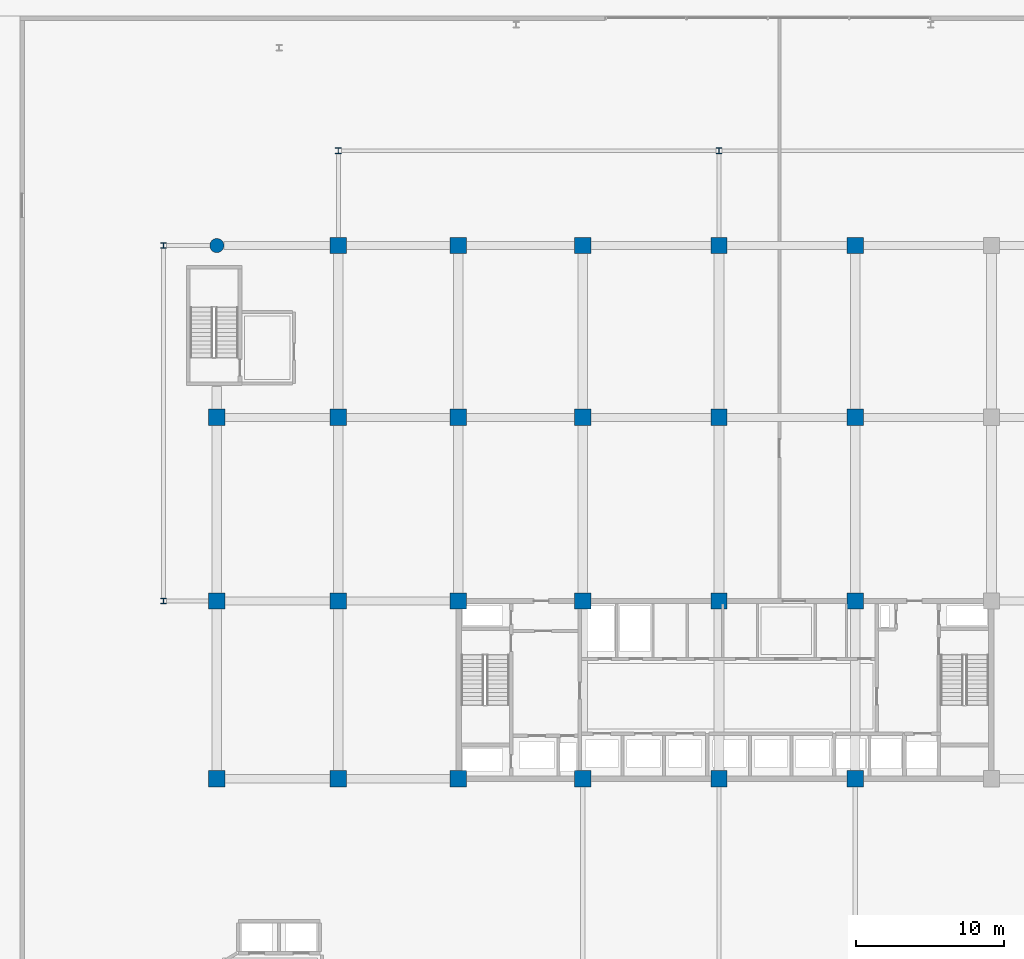
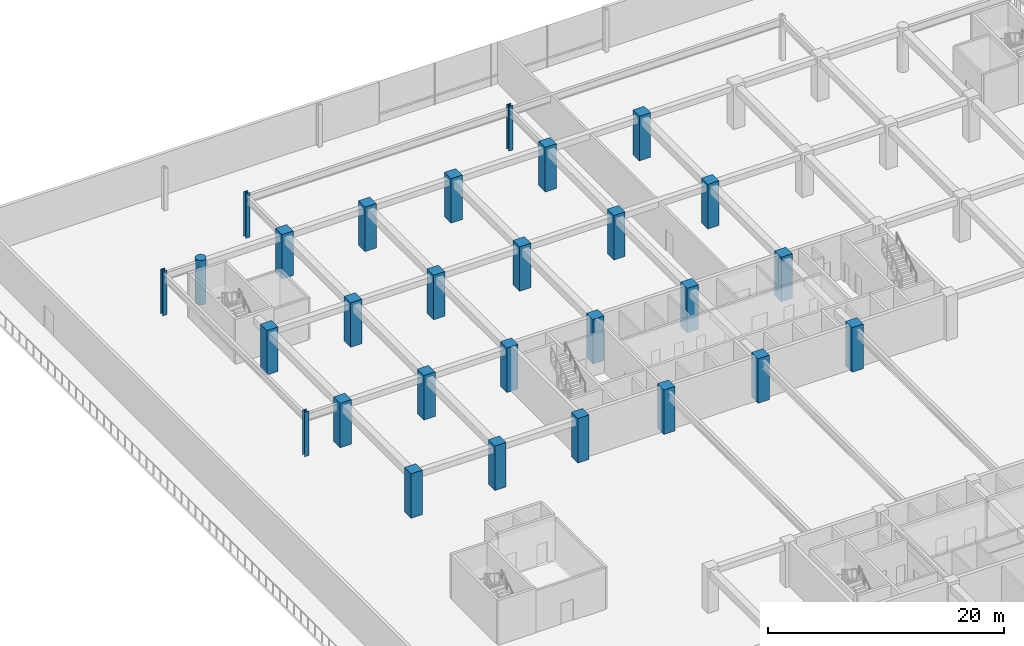
# One storey, part 3 of 45: 28 columns.
"""IFC4 building model written with IfcOpenShell, lengths in metres."""

from ifc_helpers import new_model, si_unit, direction, frame, origin, origin_2d, place, context, subcontext, project, spatial, rectangle, circle, i_section, extrude, material, material_profile, profile_set, type_object, element, save


model = new_model("IFC4")

# Units and contexts
model_context = context("Model", 3, precision=1e-05, world=origin(), true_north=direction((0.0, 1.0)))
body_context = subcontext(model_context, "Body", "Model", "MODEL_VIEW")
ifc_project = project(units=[si_unit("LENGTHUNIT", "METRE"), si_unit("AREAUNIT", "SQUARE_METRE"), si_unit("VOLUMEUNIT", "CUBIC_METRE"), si_unit("PLANEANGLEUNIT", "RADIAN"), si_unit("MASSUNIT", "GRAM", prefix="KILO")], contexts=[model_context])

# Site, building, storey
site_placement = place(None, origin())
site = spatial("IfcSite", under=ifc_project, at=site_placement, CompositionType="ELEMENT")
building_placement = place(site_placement, origin())
building = spatial("IfcBuilding", under=site, at=building_placement, Name="Korimba Cascade Residences", CompositionType="ELEMENT")
storey_placement = place(building_placement, frame((0.0, 0.0, 5.39990234375)))
storey = spatial("IfcBuildingStorey", under=building, at=storey_placement, Name="L01", CompositionType="ELEMENT", Elevation=5.39990234375)

# Columns
ifc_material_1 = material(Name="Concrete C80/95", Category="concrete")
ifc_material_profile_1 = material_profile(ifc_material_1, rectangle(XDim=1.10009765625, YDim=1.10009765625, at=origin_2d()), Name="Concrete C80/95")
ifc_profile_set_1 = profile_set([ifc_material_profile_1], Name="Concrete C80/95")
column_type_1 = type_object("IfcColumnType", Name="COL-RC-1100", PredefinedType="COLUMN", material=ifc_profile_set_1)
for number, where, z_axis, x_axis, name in (
    (1, (59.800048828125, 55.199951171875, 0.0), (0.0, 0.0, 1.0), (1.0, 0.0, 0.0), "L01 Tower 1 Column 1.1"),
    (2, (59.800048828125, 67.199951171875, 0.0), (0.0, 0.0, 1.0), (1.0, 0.0, 0.0), "L01 Tower 1 Column 1.2"),
    (3, (59.800048828125, 79.60009765625, 0.0), (0.0, 0.0, 1.0), (1.0, 0.0, 0.0), "L01 Tower 1 Column 1.3"),
    (4, (68.0, 55.199951171875, 0.0), (0.0, 0.0, 1.0), (1.0, 0.0, 0.0), "L01 Tower 1 Column 2.1"),
    (5, (68.0, 67.199951171875, 0.0), (0.0, 0.0, 1.0), (1.0, 0.0, 0.0), "L01 Tower 1 Column 2.2"),
    (6, (68.0, 79.60009765625, 0.0), (0.0, 0.0, 1.0), (1.0, 0.0, 0.0), "L01 Tower 1 Column 2.3"),
    (7, (68.0, 91.199951171875, 0.0), (0.0, 0.0, 1.0), (1.0, 0.0, 0.0), "L01 Tower 1 Column 2.4"),
    (8, (76.10009765625, 55.199951171875, 0.0), (0.0, 0.0, 1.0), (1.0, 0.0, 0.0), "L01 Tower 1 Column 3.1"),
    (9, (76.10009765625, 67.199951171875, 0.0), (0.0, 0.0, 1.0), (1.0, 0.0, 0.0), "L01 Tower 1 Column 3.2"),
    (10, (76.10009765625, 79.60009765625, 0.0), (0.0, 0.0, 1.0), (1.0, 0.0, 0.0), "L01 Tower 1 Column 3.3"),
    (11, (76.10009765625, 91.199951171875, 0.0), (0.0, 0.0, 1.0), (1.0, 0.0, 0.0), "L01 Tower 1 Column 3.4"),
    (12, (84.5, 55.199951171875, 0.0), (0.0, 0.0, 1.0), (1.0, 0.0, 0.0), "L01 Tower 1 Column 4.1"),
    (13, (84.5, 67.199951171875, 0.0), (0.0, 0.0, 1.0), (1.0, 0.0, 0.0), "L01 Tower 1 Column 4.2"),
    (14, (84.5, 79.60009765625, 0.0), (0.0, 0.0, 1.0), (1.0, 0.0, 0.0), "L01 Tower 1 Column 4.3"),
    (15, (84.5, 91.199951171875, 0.0), (0.0, 0.0, 1.0), (1.0, 0.0, 0.0), "L01 Tower 1 Column 4.4"),
    (16, (93.699951171875, 55.199951171875, 0.0), (0.0, 0.0, 1.0), (1.0, 0.0, 0.0), "L01 Tower 1 Column 5.1"),
    (17, (93.699951171875, 67.199951171875, 0.0), (0.0, 0.0, 1.0), (1.0, 0.0, 0.0), "L01 Tower 1 Column 5.2"),
    (18, (93.699951171875, 79.60009765625, 0.0), (0.0, 0.0, 1.0), (1.0, 0.0, 0.0), "L01 Tower 1 Column 5.3"),
    (19, (93.699951171875, 91.199951171875, 0.0), (0.0, 0.0, 1.0), (1.0, 0.0, 0.0), "L01 Tower 1 Column 5.4"),
    (20, (102.89990234375, 55.199951171875, 0.0), (0.0, 0.0, 1.0), (1.0, 0.0, 0.0), "L01 Tower 1 Column 6.1"),
    (21, (102.89990234375, 67.199951171875, 0.0), (0.0, 0.0, 1.0), (1.0, 0.0, 0.0), "L01 Tower 1 Column 6.2"),
    (22, (102.89990234375, 79.60009765625, 0.0), (0.0, 0.0, 1.0), (1.0, 0.0, 0.0), "L01 Tower 1 Column 6.3"),
    (23, (102.89990234375, 91.199951171875, 0.0), (0.0, 0.0, 1.0), (1.0, 0.0, 0.0), "L01 Tower 1 Column 6.4"),
):
    element("IfcColumn", number, at=place(storey_placement, frame(where, z_axis=z_axis, x_axis=x_axis)), inside=storey, type_object=column_type_1, Name=name, PredefinedType="COLUMN", context=body_context, shape_type="SweptSolid", body=[
        extrude(rectangle(XDim=1.10009765625, YDim=1.10009765625, at=origin_2d()), origin(), (0.0, 0.0, 1.0), 4.60009765625),
    ])
ifc_material_profile_2 = material_profile(ifc_material_1, circle(Radius=0.47509765625, at=origin_2d()), Name="Concrete C80/95")
ifc_profile_set_2 = profile_set([ifc_material_profile_2], Name="Concrete C80/95")
column_type_2 = type_object("IfcColumnType", Name="COL-RC-D950", PredefinedType="COLUMN", material=ifc_profile_set_2)
column_placement = place(storey_placement, frame((59.800048828125, 91.199951171875, 0.0), z_axis=(0.0, 0.0, 1.0), x_axis=(1.0, 0.0, 0.0)))
element("IfcColumn", 24, at=column_placement, inside=storey, type_object=column_type_2, Name="L01 Tower 1 Column 1.4", PredefinedType="COLUMN", context=body_context, shape_type="SweptSolid", body=[
    extrude(circle(Radius=0.47509765625, at=origin_2d()), origin(), (0.0, 0.0, 1.0), 4.60009765625),
])
ifc_material_2 = material(Name="Steel S355", Category="steel")
ifc_material_profile_3 = material_profile(ifc_material_2, i_section(OverallWidth=0.39892578125, OverallDepth=0.3935546875, WebThickness=0.022705078125, FlangeThickness=0.03662109375, FilletRadius=0.01513671875, at=origin_2d()), Name="Steel S355")
ifc_profile_set_3 = profile_set([ifc_material_profile_3], Name="Steel S355")
column_type_3 = type_object("IfcColumnType", Name="COL-STL-UC287", PredefinedType="COLUMN", material=ifc_profile_set_3)
for number, where, z_axis, x_axis, name in (
    (25, (56.199951171875, 67.199951171875, 0.0), (0.0, 0.0, 1.0), (1.0, 0.0, 0.0), "L01 Podium Column PCW3"),
    (26, (56.199951171875, 91.199951171875, 0.0), (0.0, 0.0, 1.0), (1.0, 0.0, 0.0), "L01 Podium Column PCW4"),
    (27, (68.0, 97.60009765625, 0.0), (0.0, 0.0, 1.0), (1.0, 0.0, 0.0), "L01 Podium Column PCN1"),
    (28, (93.699951171875, 97.60009765625, 0.0), (0.0, 0.0, 1.0), (1.0, 0.0, 0.0), "L01 Podium Column PCN2"),
):
    element("IfcColumn", number, at=place(storey_placement, frame(where, z_axis=z_axis, x_axis=x_axis)), inside=storey, type_object=column_type_3, Name=name, PredefinedType="COLUMN", context=body_context, shape_type="SweptSolid", body=[
        extrude(i_section(OverallWidth=0.39892578125, OverallDepth=0.3935546875, WebThickness=0.022705078125, FlangeThickness=0.03662109375, FilletRadius=0.01513671875, at=origin_2d()), origin(), (0.0, 0.0, 1.0), 4.60009765625),
    ])

save(model, "model.ifc")
